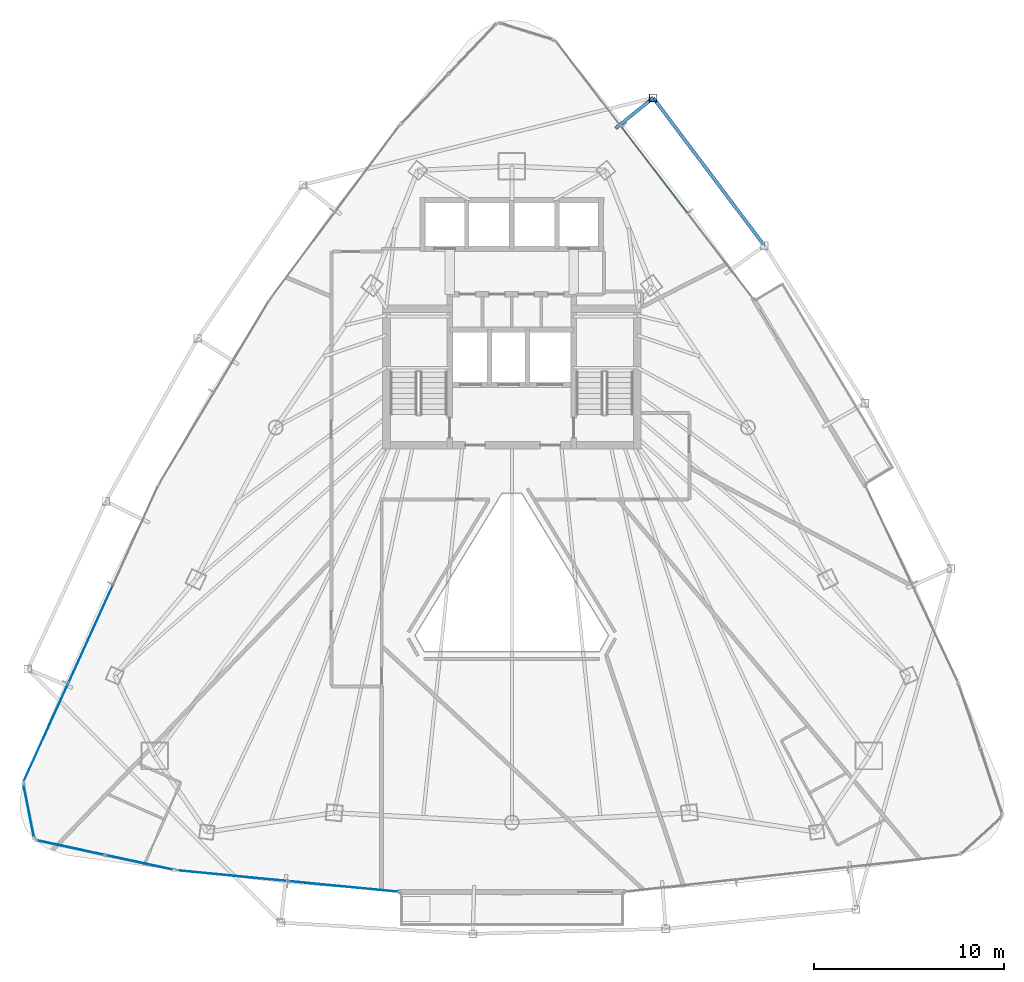
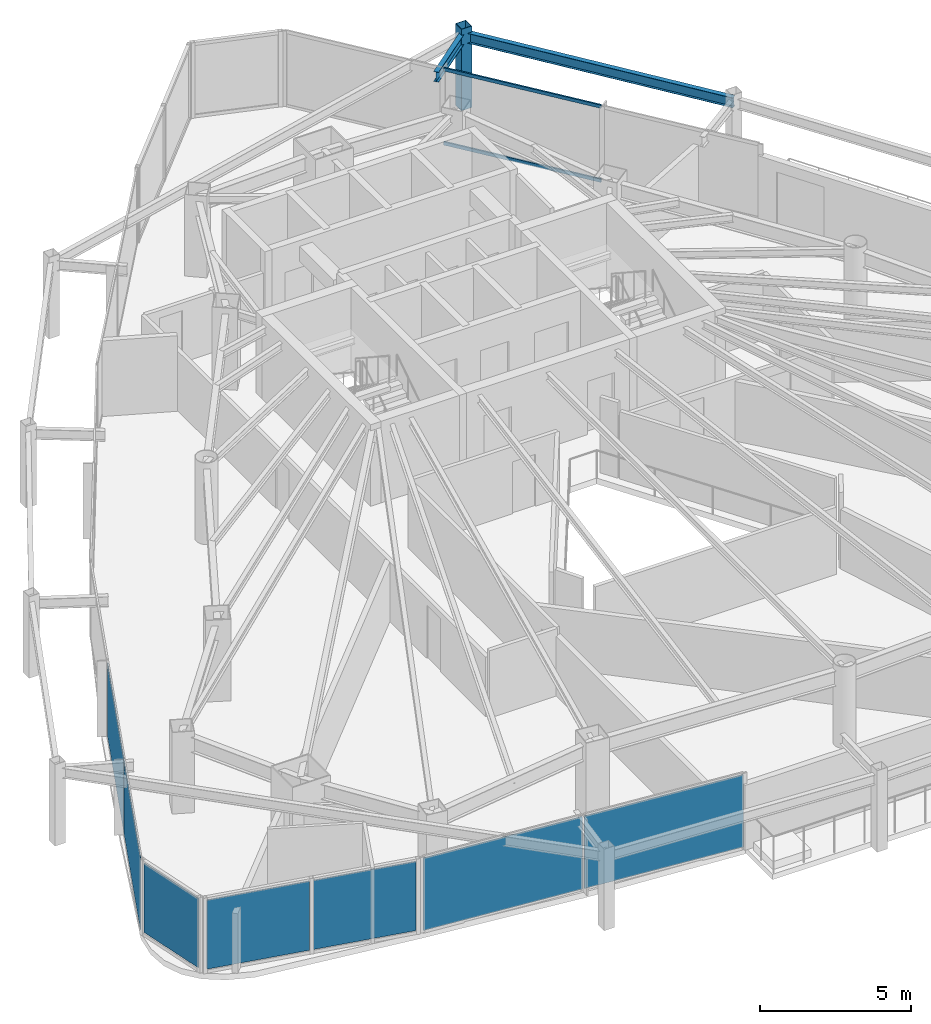
# One storey, part 25 of 31: 7 plates, 3 members, 2 beams, 5 elements without a shape of their own.
"""IFC4 building model written with IfcOpenShell, lengths in metres."""

from ifc_helpers import new_model, si_unit, direction, frame, origin, origin_2d, place, context, subcontext, project, spatial, rectangle, hollow_rectangle, i_section, extrude, material, layer, layer_set, material_profile, profile_set, type_object, element, aggregate, save


model = new_model("IFC4")

# Units and contexts
model_context = context("Model", 3, precision=1e-05, world=origin(), true_north=direction((0.0, 1.0)))
body_context = subcontext(model_context, "Body", "Model", "MODEL_VIEW")
ifc_project = project(units=[si_unit("LENGTHUNIT", "METRE"), si_unit("AREAUNIT", "SQUARE_METRE"), si_unit("VOLUMEUNIT", "CUBIC_METRE"), si_unit("PLANEANGLEUNIT", "RADIAN"), si_unit("MASSUNIT", "GRAM", prefix="KILO")], contexts=[model_context])

# Site, building, storey
site_placement = place(None, origin())
site = spatial("IfcSite", under=ifc_project, at=site_placement, CompositionType="ELEMENT")
building_placement = place(site_placement, origin())
building = spatial("IfcBuilding", under=site, at=building_placement, Name="Orvanel Arch Residences", CompositionType="ELEMENT")
storey_placement = place(building_placement, frame((0.0, 0.0, 129.800048828125)))
storey = spatial("IfcBuildingStorey", under=building, at=storey_placement, Name="L36", CompositionType="ELEMENT", Elevation=129.800048828125)

# Beams
ifc_material_1 = material(Name="Structural steel AS/NZS 3679.1 Grade 300 (300 MPa)", Category="steel")
ifc_material_profile_1 = material_profile(ifc_material_1, i_section(OverallWidth=0.177978515625, OverallDepth=0.406005859375, WebThickness=0.0078125, FlangeThickness=0.0126953125, at=origin_2d()), Name="410UB59.7")
ifc_profile_set_1 = profile_set([ifc_material_profile_1], Name="Structural steel AS/NZS 3679.1 Grade 300 (300 MPa)")
beam_type = type_object("IfcBeamType", Name="OB-410UB-EXT", PredefinedType="SPANDREL", material=ifc_profile_set_1)
beam_1_placement = place(storey_placement, frame((46.300048828125, 37.208984375, 2.85693359375), z_axis=(-0.601138021359, 0.79914521789, 0.0), x_axis=(-0.79914521789, -0.601138021359, 0.0)))
element("IfcBeam", 1, at=beam_1_placement, inside=storey, type_object=beam_type, Name="L36 Outer Perimeter Floor Ring Beam 11", PredefinedType="SPANDREL", context=body_context, shape_type="SweptSolid", body=[
    extrude(i_section(OverallWidth=0.177978515625, OverallDepth=0.406005859375, WebThickness=0.0078125, FlangeThickness=0.0126953125, at=origin_2d()), origin(), (0.0, 0.0, 1.0), 9.7431640625),
])
beam_2_placement = place(storey_placement, frame((38.4619140625, 43.388916015625, 2.85693359375), z_axis=(0.776789919197, 0.629759812495, 0.0), x_axis=(-0.629759812495, 0.776789919197, 0.0)))
element("IfcBeam", 2, at=beam_2_placement, inside=storey, type_object=beam_type, Name="L36 Outer Frame Radial Tie Beam 12", PredefinedType="SPANDREL", context=body_context, shape_type="SweptSolid", body=[
    extrude(i_section(OverallWidth=0.177978515625, OverallDepth=0.406005859375, WebThickness=0.0078125, FlangeThickness=0.0126953125, at=origin_2d()), origin(), (0.0, 0.0, 1.0), 2.550537109375),
])

# Member
ifc_material_2 = material(Name="Structural steel AS/NZS 1163 C450L0 (Grade 450)", Category="steel")
ifc_material_profile_2 = material_profile(ifc_material_2, hollow_rectangle(XDim=0.39990234375, YDim=0.39990234375, WallThickness=0.01611328125, at=origin_2d()), Name="SHS400x400x16")
ifc_profile_set_2 = profile_set([ifc_material_profile_2], Name="Structural steel AS/NZS 1163 C450L0 (Grade 450)")
member_type_1 = type_object("IfcMemberType", Name="ST-400SHS-EXT", PredefinedType="STRUT", material=ifc_profile_set_2)
member_1_placement = place(storey_placement, frame((40.443115234375, 44.9951171875, 0.0), z_axis=(0.0, 0.0, 1.0), x_axis=(1.0, 0.0, 0.0)))
element("IfcMember", 3, at=member_1_placement, inside=storey, type_object=member_type_1, Name="L36 Outer Perimeter Frame Post 12", PredefinedType="STRUT", context=body_context, shape_type="SweptSolid", body=[
    extrude(hollow_rectangle(XDim=0.39990234375, YDim=0.39990234375, WallThickness=0.01611328125, at=origin_2d()), origin(), (0.0, 0.0, 1.0), 3.300048828125),
])

# Curtain wall, members
ifc_material_3 = material(Name="Bronze-anodised aluminium AA6063-T6", Category="aluminium")
ifc_layer_1 = layer(ifc_material_3, 0.179931640625)
ifc_layer_set_1 = layer_set([ifc_layer_1], Name="Bronze-anodised aluminium AA6063-T6")
curtain_wall_type_1 = type_object("IfcCurtainWallType", Name="CW3-MID-SYS", PredefinedType="NOTDEFINED", material=ifc_layer_set_1)
curtain_wall_1_placement = place(storey_placement, origin())
curtain_wall_1 = element("IfcCurtainWall", 4, at=curtain_wall_1_placement, inside=storey, type_object=curtain_wall_type_1, Name="L36 CW3-MID-SYS Unitised Curtain Wall", PredefinedType="NOTDEFINED")
ifc_material_profile_3 = material_profile(ifc_material_3, hollow_rectangle(XDim=0.06005859375, YDim=0.135009765625, WallThickness=0.00390625, at=origin_2d()), Name="ALU135x60x4")
ifc_profile_set_3 = profile_set([ifc_material_profile_3], Name="Bronze-anodised aluminium AA6063-T6")
member_type_2 = type_object("IfcMemberType", Name="TRN-135x60", PredefinedType="USERDEFINED", material=ifc_profile_set_3)
member_2_placement = place(storey_placement, frame((42.231689453125, 38.95849609375, 0.030029296875), z_axis=(-0.60833632632, 0.793679352182, 0.0), x_axis=(-0.793679352182, -0.60833632632, 0.0)))
member_2 = element("IfcMember", 5, at=member_2_placement, type_object=member_type_2, Name="CW-S3 transom 2.1", ObjectType="TRANSOM", PredefinedType="USERDEFINED", context=body_context, shape_type="SweptSolid", body=[
    extrude(hollow_rectangle(XDim=0.06005859375, YDim=0.135009765625, WallThickness=0.00390625, at=origin_2d()), origin(), (0.0, 0.0, 1.0), 5.65234375),
])
member_3_placement = place(storey_placement, frame((42.231689453125, 38.95849609375, 3.030029296875), z_axis=(-0.60833632632, 0.793679352182, 0.0), x_axis=(-0.793679352182, -0.60833632632, 0.0)))
member_3 = element("IfcMember", 6, at=member_3_placement, type_object=member_type_2, Name="CW-S3 transom 2.2", ObjectType="TRANSOM", PredefinedType="USERDEFINED", context=body_context, shape_type="SweptSolid", body=[
    extrude(hollow_rectangle(XDim=0.06005859375, YDim=0.135009765625, WallThickness=0.00390625, at=origin_2d()), origin(), (0.0, 0.0, 1.0), 5.65234375),
])
aggregate(curtain_wall_1, [member_2, member_3])

# Curtain wall, plates
curtain_wall_2_placement = place(storey_placement, origin())
curtain_wall_2 = element("IfcCurtainWall", 7, at=curtain_wall_2_placement, inside=storey, type_object=curtain_wall_type_1, Name="L36 CW3-MID-SYS Unitised Curtain Wall", PredefinedType="NOTDEFINED")
ifc_material_4 = material(Name="Double-glazed solar-control low-E safety glass", Category="glass")
ifc_layer_2 = layer(ifc_material_4, 0.028076171875)
ifc_layer_set_2 = layer_set([ifc_layer_2], Name="Double-glazed solar-control low-E safety glass")
plate_type_1 = type_object("IfcPlateType", Name="PNL-GLZ-28", PredefinedType="CURTAIN_PANEL", material=ifc_layer_set_2)
plate_1_placement = place(storey_placement, frame((10.830078125, 16.7666015625, 0.06005859375), z_axis=(0.0, 0.0, 1.0), x_axis=(-0.413895098306, -0.91032458365, 0.0)))
plate_1 = element("IfcPlate", 8, at=plate_1_placement, type_object=plate_type_1, Name="CW-S3 panel 2.1", PredefinedType="CURTAIN_PANEL", context=body_context, shape_type="SweptSolid", body=[
    extrude(rectangle(XDim=5.65283203125, YDim=0.028076171875, at=origin_2d()), origin(), (0.0, 0.0, 1.0), 2.93994140625),
])
plate_2_placement = place(storey_placement, frame((8.468505859375, 11.57275390625, 0.06005859375), z_axis=(0.0, 0.0, 1.0), x_axis=(-0.413895098306, -0.91032458365, 0.0)))
plate_2 = element("IfcPlate", 9, at=plate_2_placement, type_object=plate_type_1, Name="CW-S3 panel 3.1", PredefinedType="CURTAIN_PANEL", context=body_context, shape_type="SweptSolid", body=[
    extrude(rectangle(XDim=5.617919921875, YDim=0.028076171875, at=origin_2d()), origin(), (0.0, 0.0, 1.0), 2.93994140625),
])
aggregate(curtain_wall_2, [plate_1, plate_2])

curtain_wall_3_placement = place(storey_placement, origin())
curtain_wall_3 = element("IfcCurtainWall", 10, at=curtain_wall_3_placement, inside=storey, type_object=curtain_wall_type_1, Name="L36 CW3-MID-SYS Unitised Curtain Wall", PredefinedType="NOTDEFINED")
plate_3_placement = place(storey_placement, frame((18.290771484375, 4.038818359375, 0.06005859375), z_axis=(0.0, 0.0, 1.0), x_axis=(0.995341887649, -0.096408125648, 0.0)))
plate_3 = element("IfcPlate", 11, at=plate_3_placement, type_object=plate_type_1, Name="CW-S3 panel 1.1", PredefinedType="CURTAIN_PANEL", context=body_context, shape_type="SweptSolid", body=[
    extrude(rectangle(XDim=5.796875, YDim=0.028076171875, at=origin_2d()), origin(), (0.0, 0.0, 1.0), 2.93994140625),
])
plate_4_placement = place(storey_placement, frame((24.13037109375, 3.47314453125, 0.06005859375), z_axis=(0.0, 0.0, 1.0), x_axis=(0.995341887649, -0.096408125648, 0.0)))
plate_4 = element("IfcPlate", 12, at=plate_4_placement, type_object=plate_type_1, Name="CW-S3 panel 2.1", PredefinedType="CURTAIN_PANEL", context=body_context, shape_type="SweptSolid", body=[
    extrude(rectangle(XDim=5.796875, YDim=0.028076171875, at=origin_2d()), origin(), (0.0, 0.0, 1.0), 2.93994140625),
])
aggregate(curtain_wall_3, [plate_3, plate_4])

# Curtain wall, plate
ifc_layer_3 = layer(ifc_material_3, 0.18994140625)
ifc_layer_set_3 = layer_set([ifc_layer_3], Name="Bronze-anodised aluminium AA6063-T6")
curtain_wall_type_2 = type_object("IfcCurtainWallType", Name="CW5-CRN-SYS", PredefinedType="NOTDEFINED", material=ifc_layer_set_3)
curtain_wall_4_placement = place(storey_placement, origin())
curtain_wall_4 = element("IfcCurtainWall", 13, at=curtain_wall_4_placement, inside=storey, type_object=curtain_wall_type_2, Name="L36 CW5-CRN-SYS Unitised Curtain Wall", PredefinedType="NOTDEFINED")
ifc_layer_4 = layer(ifc_material_4, 0.031982421875)
ifc_layer_set_4 = layer_set([ifc_layer_4], Name="Double-glazed solar-control low-E safety glass")
plate_type_2 = type_object("IfcPlateType", Name="PNL-GLZ-32", PredefinedType="CURTAIN_PANEL", material=ifc_layer_set_4)
plate_5_placement = place(storey_placement, frame((7.569091796875, 7.431396484375, 0.1298828125), z_axis=(0.0, 0.0, 1.0), x_axis=(0.195798105544, -0.980644227977, 0.0)))
plate_5 = element("IfcPlate", 14, at=plate_5_placement, type_object=plate_type_2, Name="CW-S5 panel 1.1", PredefinedType="CURTAIN_PANEL", context=body_context, shape_type="SweptSolid", body=[
    extrude(rectangle(XDim=2.7236328125, YDim=0.031982421875, at=origin_2d()), origin(), (0.0, 0.0, 1.0), 2.800048828125),
])
aggregate(curtain_wall_4, [plate_5])

# Curtain wall, plates
curtain_wall_5_placement = place(storey_placement, origin())
curtain_wall_5 = element("IfcCurtainWall", 15, at=curtain_wall_5_placement, inside=storey, type_object=curtain_wall_type_2, Name="L36 CW5-CRN-SYS Unitised Curtain Wall", PredefinedType="NOTDEFINED")
plate_6_placement = place(storey_placement, frame((9.77734375, 5.5185546875, 0.1298828125), z_axis=(0.0, 0.0, 1.0), x_axis=(0.977618546728, -0.210385306266, 0.0)))
plate_6 = element("IfcPlate", 16, at=plate_6_placement, type_object=plate_type_2, Name="CW-S5 panel 1.1", PredefinedType="CURTAIN_PANEL", context=body_context, shape_type="SweptSolid", body=[
    extrude(rectangle(XDim=3.563232421875, YDim=0.031982421875, at=origin_2d()), origin(), (0.0, 0.0, 1.0), 2.800048828125),
])
plate_7_placement = place(storey_placement, frame((13.407470703125, 4.7373046875, 0.1298828125), z_axis=(0.0, 0.0, 1.0), x_axis=(0.977618546728, -0.210385306266, 0.0)))
plate_7 = element("IfcPlate", 17, at=plate_7_placement, type_object=plate_type_2, Name="CW-S5 panel 2.1", PredefinedType="CURTAIN_PANEL", context=body_context, shape_type="SweptSolid", body=[
    extrude(rectangle(XDim=3.563232421875, YDim=0.031982421875, at=origin_2d()), origin(), (0.0, 0.0, 1.0), 2.800048828125),
])
aggregate(curtain_wall_5, [plate_6, plate_7])

save(model, "model.ifc")
